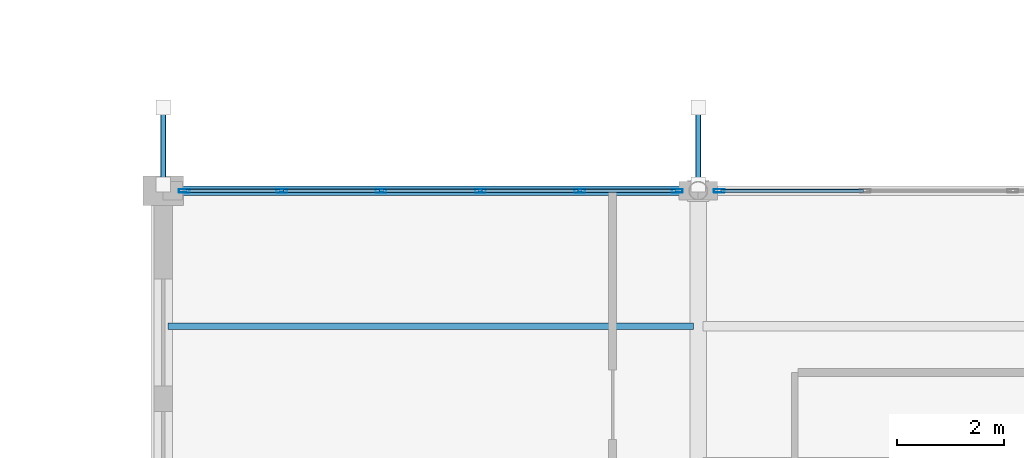
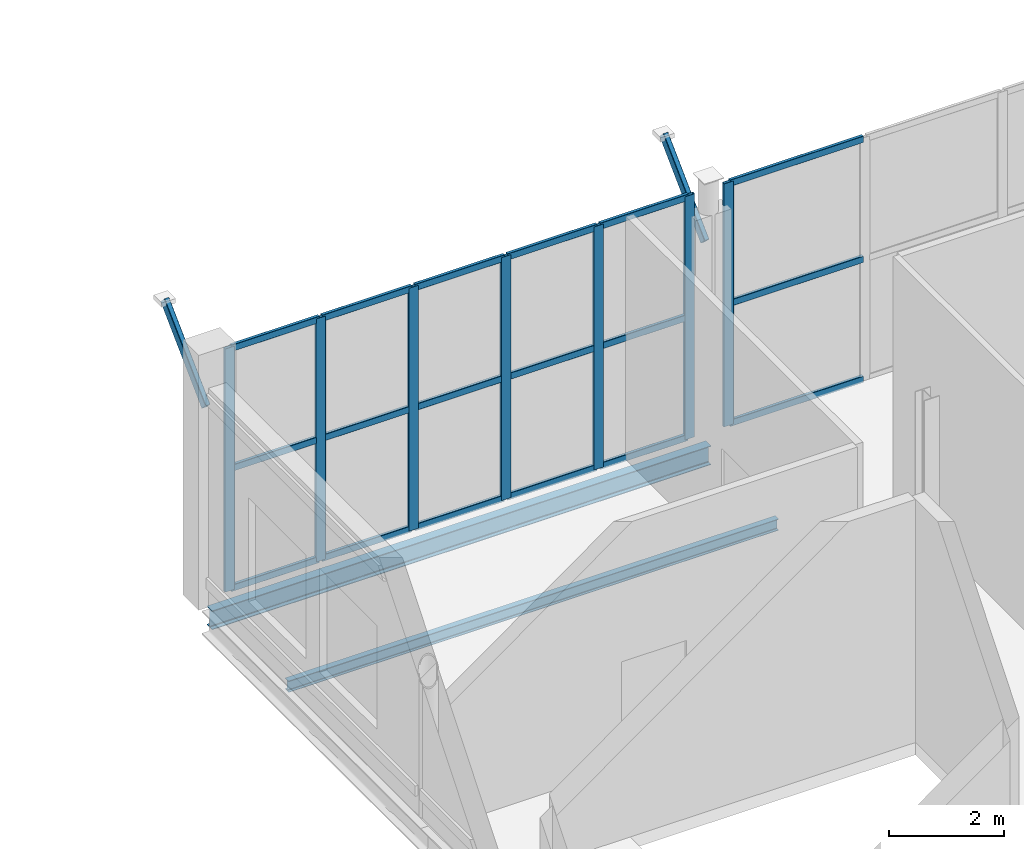
# One storey, part 77 of 147: 27 members, 2 beams, 2 elements without a shape of their own.
"""IFC4 building model written with IfcOpenShell, lengths in metres."""

import ifcopenshell
import ifcopenshell.guid

model = None  # the IFC model being written
_history = None  # IfcOwnerHistory: only IFC2X3 demands one
_inside = {}  # id of a spatial element -> (the spatial element, [elements in it])
_under = {}  # id of a project, library or spatial element -> (it, [spatial elements below it])
_declared = {}  # id of a project -> (the project, [libraries it declares])
_typed = {}  # id of a type object -> (the type object, [elements of that type])
_made_of = {}  # id of a material, layer set ... -> (it, [elements and type objects made of it])


def new_model(schema):
    """Start an empty IFC model of exactly this schema.

    Asked for "IFC4X3", IfcOpenShell would pick the latest addendum, in which some entities
    have other attributes; the version numbers below select the first issue.
    IFC2X3 requires an IfcOwnerHistory on every rooted entity: one is made here for all.
    """
    global model, _history
    if schema == "IFC4X3":
        model = ifcopenshell.file(schema_version=(4, 3, 0, 0))
    else:
        model = ifcopenshell.file(schema=schema)
    _inside.clear()
    _under.clear()
    _declared.clear()
    _typed.clear()
    _made_of.clear()
    _history = None
    if model.schema == "IFC2X3":
        org = make("IfcOrganization", Name="unknown")
        user = make(
            "IfcPersonAndOrganization",
            ThePerson=make("IfcPerson", FamilyName="unknown"),
            TheOrganization=org,
        )
        app = make(
            "IfcApplication",
            ApplicationDeveloper=org,
            Version="unknown",
            ApplicationFullName="unknown",
            ApplicationIdentifier="unknown",
        )
        _history = make(
            "IfcOwnerHistory",
            OwningUser=user,
            OwningApplication=app,
            ChangeAction="ADDED",
            CreationDate=0,
        )
    return model


def make(cls, **values):
    """One entity of the class cls with the attributes given. An attribute that is None is left unset."""
    return model.create_entity(
        cls, **{name: value for name, value in values.items() if value is not None}
    )


def rooted(cls, **values):
    """An entity with a GlobalId (a new one), such as an element, a storey or a relation."""
    return make(cls, GlobalId=ifcopenshell.guid.new(), OwnerHistory=_history, **values)


def si_unit(unit_type, name, prefix=None):
    """IfcSIUnit, for example si_unit("LENGTHUNIT", "METRE", prefix="MILLI")."""
    return make("IfcSIUnit", UnitType=unit_type, Prefix=prefix, Name=name)


def assignment(units):
    """IfcUnitAssignment: the units of a project."""
    return None if units is None else make("IfcUnitAssignment", Units=units)


def point(xyz):
    """IfcCartesianPoint."""
    return None if xyz is None else make("IfcCartesianPoint", Coordinates=xyz)


def direction(xyz):
    """IfcDirection."""
    return None if xyz is None else make("IfcDirection", DirectionRatios=xyz)


def frame(location, z_axis=None, x_axis=None):
    """IfcAxis2Placement3D, a coordinate frame: its origin and axes. An axis left out is left unset."""
    return make(
        "IfcAxis2Placement3D",
        Location=point(location),
        Axis=direction(z_axis),
        RefDirection=direction(x_axis),
    )


def frame_2d(location, x_axis=None):
    """IfcAxis2Placement2D, a coordinate frame in the plane: its origin and x axis."""
    return make(
        "IfcAxis2Placement2D", Location=point(location), RefDirection=direction(x_axis)
    )


def origin():
    """The frame at (0, 0, 0) with its axes left unset."""
    return frame((0.0, 0.0, 0.0))


def origin_2d():
    """The frame at (0, 0) in the plane with its x axis left unset."""
    return frame_2d((0.0, 0.0))


def place(relative_to, where):
    """IfcLocalPlacement: puts the frame where relative to a parent placement (None: the world)."""
    return make(
        "IfcLocalPlacement", PlacementRelTo=relative_to, RelativePlacement=where
    )


def context(
    kind, dimensions, precision=None, world=None, true_north=None, identifier=None
):
    """IfcGeometricRepresentationContext, for example the 3D "Model" context."""
    return make(
        "IfcGeometricRepresentationContext",
        ContextIdentifier=identifier,
        ContextType=kind,
        CoordinateSpaceDimension=dimensions,
        Precision=precision,
        WorldCoordinateSystem=world,
        TrueNorth=true_north,
    )


def subcontext(parent, identifier, kind, view, scale=None):
    """IfcGeometricRepresentationSubContext, for example "Body" below "Model"."""
    return make(
        "IfcGeometricRepresentationSubContext",
        ContextIdentifier=identifier,
        ContextType=kind,
        ParentContext=parent,
        TargetScale=scale,
        TargetView=view,
    )


def project(units=None, contexts=None):
    """IfcProject with its units and contexts."""
    return rooted(
        "IfcProject",
        Name="project",
        RepresentationContexts=contexts,
        UnitsInContext=assignment(units),
    )


def spatial(cls, under=None, at=None, **own):
    """A site, building, storey or space (cls), placed at a placement, below another one or the project."""
    s = rooted(cls, ObjectPlacement=at, **own)
    if under is not None:
        _under.setdefault(under.id(), (under, []))[1].append(s)
    return s


def profile(cls, at=None, kind="AREA", **sizes):
    """A parametric profile (cls). Its sizes go by their IFC names, for example OverallWidth=200.0."""
    return make(cls, ProfileType=kind, Position=at, **sizes)


def hollow_rectangle(**sizes):
    """IfcRectangleHollowProfileDef."""
    return profile("IfcRectangleHollowProfileDef", **sizes)


def i_section(**sizes):
    """IfcIShapeProfileDef."""
    return profile("IfcIShapeProfileDef", **sizes)


def extrude(swept, where, along, depth):
    """IfcExtrudedAreaSolid: the profile swept, set in the frame where, extruded along a direction by depth."""
    return make(
        "IfcExtrudedAreaSolid",
        SweptArea=swept,
        Position=where,
        ExtrudedDirection=direction(along),
        Depth=depth,
    )


def shape(context_of_items, identifier, shape_type, items):
    """IfcShapeRepresentation: the items that make up one representation, for example the "Body"."""
    return make(
        "IfcShapeRepresentation",
        ContextOfItems=context_of_items,
        RepresentationIdentifier=identifier,
        RepresentationType=shape_type,
        Items=items,
    )


def material(Name=None, Category=None):
    """IfcMaterial."""
    return make("IfcMaterial", Name=Name, Category=Category)


def layer(
    of_material, thickness, ventilated=None, Name=None, Category=None, Priority=None
):
    """IfcMaterialLayer: one layer of a wall or slab, of a material (None: an air gap)."""
    return make(
        "IfcMaterialLayer",
        Material=of_material,
        LayerThickness=thickness,
        IsVentilated=ventilated,
        Name=Name,
        Category=Category,
        Priority=Priority,
    )


def layer_set(layers, Name=None):
    """IfcMaterialLayerSet."""
    return make("IfcMaterialLayerSet", MaterialLayers=layers, LayerSetName=Name)


def material_profile(
    of_material, cross_section, Name=None, Category=None, Priority=None
):
    """IfcMaterialProfile: a cross section and its material."""
    return make(
        "IfcMaterialProfile",
        Name=Name,
        Material=of_material,
        Profile=cross_section,
        Priority=Priority,
        Category=Category,
    )


def profile_set(profiles, Name=None, composite=None):
    """IfcMaterialProfileSet."""
    return make(
        "IfcMaterialProfileSet",
        Name=Name,
        MaterialProfiles=profiles,
        CompositeProfile=composite,
    )


def made_of(thing, what):
    """Note that an element or type object is made of a material, layer set ...; save() writes the relation."""
    if what is not None:
        _made_of.setdefault(what.id(), (what, []))[1].append(thing)
    return thing


def type_object(cls, material=None, **own):
    """A type object (cls), such as IfcWallType, which elements share."""
    return made_of(rooted(cls, **own), material)


def element(
    cls,
    number,
    at=None,
    inside=None,
    cuts=None,
    type_object=None,
    material=None,
    context=None,
    identifier="Body",
    shape_type=None,
    held_by="IfcProductDefinitionShape",
    body=None,
    shapes=None,
    **own,
):
    """One element of the class cls, such as IfcWall. Its Tag is "e" and its number.

    at: its placement. inside: the storey or other place that contains it. cuts: it is an
    opening in that element (IfcRelVoidsElement). A single representation is given by context,
    identifier, shape_type and body (its items); several are given by shapes. held_by: the class
    of the entity that holds the representations. save() writes the other relations.
    """
    e = rooted(cls, Tag="e%d" % number, ObjectPlacement=at, **own)
    if body is not None:
        shapes = [shape(context, identifier, shape_type, body)]
    if shapes is not None:
        e.Representation = make(held_by, Representations=shapes)
    if inside is not None:
        _inside.setdefault(inside.id(), (inside, []))[1].append(e)
    if cuts is not None:
        rooted(
            "IfcRelVoidsElement", RelatingBuildingElement=cuts, RelatedOpeningElement=e
        )
    if type_object is not None:
        _typed.setdefault(type_object.id(), (type_object, []))[1].append(e)
    return made_of(e, material)


def aggregate(whole, parts):
    """IfcRelAggregates: a whole, such as a stair, and the parts it consists of."""
    return rooted("IfcRelAggregates", RelatingObject=whole, RelatedObjects=parts)


def save(model, path):
    """Write the relations noted so far, then the file.

    IfcRelAggregates (storeys below a building ...), IfcRelContainedInSpatialStructure (elements
    in a storey), IfcRelDefinesByType, IfcRelAssociatesMaterial and IfcRelDeclares: one each for
    every whole, place, type object, material and project.
    """
    for whole, parts in _under.values():
        aggregate(whole, parts)
    for where, things in _inside.values():
        rooted(
            "IfcRelContainedInSpatialStructure",
            RelatedElements=things,
            RelatingStructure=where,
        )
    for kind, things in _typed.values():
        rooted("IfcRelDefinesByType", RelatedObjects=things, RelatingType=kind)
    for what, things in _made_of.values():
        rooted("IfcRelAssociatesMaterial", RelatedObjects=things, RelatingMaterial=what)
    for by, libraries in _declared.values():
        rooted("IfcRelDeclares", RelatingContext=by, RelatedDefinitions=libraries)
    model.write(path)


model = new_model("IFC4")

# Units and contexts
model_context = context("Model", 3, precision=1e-05, world=origin(), true_north=direction((0.0, 1.0)))
body_context = subcontext(model_context, "Body", "Model", "MODEL_VIEW")
ifc_project = project(units=[si_unit("LENGTHUNIT", "METRE"), si_unit("AREAUNIT", "SQUARE_METRE"), si_unit("VOLUMEUNIT", "CUBIC_METRE"), si_unit("PLANEANGLEUNIT", "RADIAN"), si_unit("MASSUNIT", "GRAM", prefix="KILO")], contexts=[model_context])

# Site, building, storey
site_placement = place(None, origin())
site = spatial("IfcSite", under=ifc_project, at=site_placement, CompositionType="ELEMENT")
building_placement = place(site_placement, origin())
building = spatial("IfcBuilding", under=site, at=building_placement, Name="Vekula Escarpment Museum", CompositionType="ELEMENT")
storey_placement = place(building_placement, frame((0.0, 0.0, 7.800048828125)))
storey = spatial("IfcBuildingStorey", under=building, at=storey_placement, Name="L02", CompositionType="ELEMENT", Elevation=7.800048828125)

# Beams
ifc_material_1 = material(Name="Steel S355", Category="steel")
ifc_material_profile_1 = material_profile(ifc_material_1, i_section(OverallWidth=0.179931640625, OverallDepth=0.39990234375, WebThickness=0.008544921875, FlangeThickness=0.013427734375, FilletRadius=0.02099609375, at=origin_2d()), Name="IPE 400")
ifc_profile_set_1 = profile_set([ifc_material_profile_1], Name="Steel S355")
beam_type_1 = type_object("IfcBeamType", Name="BM-GIRD-IPE400", PredefinedType="BEAM", material=ifc_profile_set_1)
beam_1_placement = place(storey_placement, frame((136.0, 15.199951171875, -0.4599609375), z_axis=(1.0, 0.0, 0.0), x_axis=(0.0, 1.0, 0.0)))
element("IfcBeam", 1, at=beam_1_placement, inside=storey, type_object=beam_type_1, Name="Beam X L02 0822", PredefinedType="BEAM", context=body_context, shape_type="SweptSolid", body=[
    extrude(i_section(OverallWidth=0.179931640625, OverallDepth=0.39990234375, WebThickness=0.008544921875, FlangeThickness=0.013427734375, FilletRadius=0.02099609375, at=origin_2d()), origin(), (0.0, 0.0, 1.0), 10.0),
])
ifc_material_2 = material(Name="Steel S355", Category="steel")
ifc_material_profile_2 = material_profile(ifc_material_2, i_section(OverallWidth=0.1201171875, OverallDepth=0.239990234375, WebThickness=0.006103515625, FlangeThickness=0.009765625, FilletRadius=0.014892578125, at=origin_2d()), Name="IPE 240")
ifc_profile_set_2 = profile_set([ifc_material_profile_2], Name="Steel S355")
beam_type_2 = type_object("IfcBeamType", Name="BM-JST-IPE240", PredefinedType="JOIST", material=ifc_profile_set_2)
beam_2_placement = place(storey_placement, frame((136.090087890625, 12.666748046875, -0.380126953125), z_axis=(1.0, 0.0, 0.0), x_axis=(0.0, 1.0, 0.0)))
element("IfcBeam", 2, at=beam_2_placement, inside=storey, type_object=beam_type_2, Name="Secondary Joist L02 0826", PredefinedType="JOIST", context=body_context, shape_type="SweptSolid", body=[
    extrude(i_section(OverallWidth=0.1201171875, OverallDepth=0.239990234375, WebThickness=0.006103515625, FlangeThickness=0.009765625, FilletRadius=0.014892578125, at=origin_2d()), origin(), (0.0, 0.0, 1.0), 9.81982421875),
])

# Curtain wall, member
ifc_material_3 = material(Name="Aluminium thermally broken framing", Category="aluminium")
ifc_layer_1 = layer(ifc_material_3, 0.179931640625)
ifc_layer_set_1 = layer_set([ifc_layer_1], Name="Aluminium thermally broken framing")
curtain_wall_type_1 = type_object("IfcCurtainWallType", Name="CW-SYS-08", PredefinedType="NOTDEFINED", material=ifc_layer_set_1)
curtain_wall_1_placement = place(storey_placement, origin())
curtain_wall_1 = element("IfcCurtainWall", 3, at=curtain_wall_1_placement, inside=storey, type_object=curtain_wall_type_1, Name="Curtain Wall CW-L02-068", PredefinedType="NOTDEFINED")
ifc_material_4 = material(Name="Aluminium anodized mullion", Category="aluminium")
ifc_material_profile_3 = material_profile(ifc_material_4, hollow_rectangle(XDim=0.06494140625, YDim=0.199951171875, WallThickness=0.00390625, InnerFilletRadius=0.00390625, OuterFilletRadius=0.008056640625, at=origin_2d()), Name="ALU 200x65x4")
ifc_profile_set_3 = profile_set([ifc_material_profile_3], Name="Aluminium anodized mullion")
member_type_1 = type_object("IfcMemberType", Name="CW-MUL-200", PredefinedType="MULLION", material=ifc_profile_set_3)
member_1_placement = place(storey_placement, frame((146.392578125, 15.199951171875, 0.0), z_axis=(0.0, 0.0, 1.0), x_axis=(0.0, -1.0, 0.0)))
member_1 = element("IfcMember", 4, at=member_1_placement, type_object=member_type_1, Name="CW-08 mullion 4", PredefinedType="MULLION", context=body_context, shape_type="SweptSolid", body=[
    extrude(hollow_rectangle(XDim=0.06494140625, YDim=0.199951171875, WallThickness=0.00390625, InnerFilletRadius=0.00390625, OuterFilletRadius=0.008056640625, at=origin_2d()), origin(), (0.0, 0.0, 1.0), 5.14990234375),
])

# Curtain wall, members
ifc_material_5 = material(Name="Aluminium thermally broken framing", Category="aluminium")
ifc_layer_2 = layer(ifc_material_5, 0.14990234375)
ifc_layer_set_2 = layer_set([ifc_layer_2], Name="Aluminium thermally broken framing")
curtain_wall_type_2 = type_object("IfcCurtainWallType", Name="CW-SYS-09", PredefinedType="NOTDEFINED", material=ifc_layer_set_2)
curtain_wall_2_placement = place(storey_placement, origin())
curtain_wall_2 = element("IfcCurtainWall", 5, at=curtain_wall_2_placement, inside=storey, type_object=curtain_wall_type_2, Name="Curtain Wall CW-L02-069", PredefinedType="NOTDEFINED")
member_2_placement = place(storey_placement, frame((145.607421875, 15.199951171875, 0.0), z_axis=(0.0, 0.0, 1.0), x_axis=(0.0, -1.0, 0.0)))
member_2 = element("IfcMember", 6, at=member_2_placement, type_object=member_type_1, Name="CW-09 mullion 1", PredefinedType="MULLION", context=body_context, shape_type="SweptSolid", body=[
    extrude(hollow_rectangle(XDim=0.06494140625, YDim=0.199951171875, WallThickness=0.00390625, InnerFilletRadius=0.00390625, OuterFilletRadius=0.008056640625, at=origin_2d()), origin(), (0.0, 0.0, 1.0), 5.14990234375),
])
member_3_placement = place(storey_placement, frame((143.783935546875, 15.199951171875, 0.0), z_axis=(0.0, 0.0, 1.0), x_axis=(0.0, -1.0, 0.0)))
member_3 = element("IfcMember", 7, at=member_3_placement, type_object=member_type_1, Name="CW-09 mullion 2", PredefinedType="MULLION", context=body_context, shape_type="SweptSolid", body=[
    extrude(hollow_rectangle(XDim=0.06494140625, YDim=0.199951171875, WallThickness=0.00390625, InnerFilletRadius=0.00390625, OuterFilletRadius=0.008056640625, at=origin_2d()), origin(), (0.0, 0.0, 1.0), 5.14990234375),
])
member_4_placement = place(storey_placement, frame((141.927978515625, 15.199951171875, 0.0), z_axis=(0.0, 0.0, 1.0), x_axis=(0.0, -1.0, 0.0)))
member_4 = element("IfcMember", 8, at=member_4_placement, type_object=member_type_1, Name="CW-09 mullion 3", PredefinedType="MULLION", context=body_context, shape_type="SweptSolid", body=[
    extrude(hollow_rectangle(XDim=0.06494140625, YDim=0.199951171875, WallThickness=0.00390625, InnerFilletRadius=0.00390625, OuterFilletRadius=0.008056640625, at=origin_2d()), origin(), (0.0, 0.0, 1.0), 5.14990234375),
])
member_5_placement = place(storey_placement, frame((140.072021484375, 15.199951171875, 0.0), z_axis=(0.0, 0.0, 1.0), x_axis=(0.0, -1.0, 0.0)))
member_5 = element("IfcMember", 9, at=member_5_placement, type_object=member_type_1, Name="CW-09 mullion 4", PredefinedType="MULLION", context=body_context, shape_type="SweptSolid", body=[
    extrude(hollow_rectangle(XDim=0.06494140625, YDim=0.199951171875, WallThickness=0.00390625, InnerFilletRadius=0.00390625, OuterFilletRadius=0.008056640625, at=origin_2d()), origin(), (0.0, 0.0, 1.0), 5.14990234375),
])
member_6_placement = place(storey_placement, frame((138.216064453125, 15.199951171875, 0.0), z_axis=(0.0, 0.0, 1.0), x_axis=(0.0, -1.0, 0.0)))
member_6 = element("IfcMember", 10, at=member_6_placement, type_object=member_type_1, Name="CW-09 mullion 5", PredefinedType="MULLION", context=body_context, shape_type="SweptSolid", body=[
    extrude(hollow_rectangle(XDim=0.06494140625, YDim=0.199951171875, WallThickness=0.00390625, InnerFilletRadius=0.00390625, OuterFilletRadius=0.008056640625, at=origin_2d()), origin(), (0.0, 0.0, 1.0), 5.14990234375),
])
member_7_placement = place(storey_placement, frame((136.392578125, 15.199951171875, 0.0), z_axis=(0.0, 0.0, 1.0), x_axis=(0.0, -1.0, 0.0)))
member_7 = element("IfcMember", 11, at=member_7_placement, type_object=member_type_1, Name="CW-09 mullion 6", PredefinedType="MULLION", context=body_context, shape_type="SweptSolid", body=[
    extrude(hollow_rectangle(XDim=0.06494140625, YDim=0.199951171875, WallThickness=0.00390625, InnerFilletRadius=0.00390625, OuterFilletRadius=0.008056640625, at=origin_2d()), origin(), (0.0, 0.0, 1.0), 5.14990234375),
])

# Member
ifc_material_6 = material(Name="Aluminium anodized transom", Category="aluminium")
ifc_material_profile_4 = material_profile(ifc_material_6, hollow_rectangle(XDim=0.06494140625, YDim=0.139892578125, WallThickness=0.00390625, InnerFilletRadius=0.00390625, OuterFilletRadius=0.008056640625, at=origin_2d()), Name="ALU 140x65x4")
ifc_profile_set_4 = profile_set([ifc_material_profile_4], Name="Aluminium anodized transom")
member_type_2 = type_object("IfcMemberType", Name="CW-TRN-140", PredefinedType="USERDEFINED", material=ifc_profile_set_4)
member_8_placement = place(storey_placement, frame((149.08740234375, 15.199951171875, 0.032470703125), z_axis=(-1.0, 0.0, 0.0), x_axis=(0.0, -1.0, 0.0)))
member_8 = element("IfcMember", 12, at=member_8_placement, type_object=member_type_2, Name="CW-08 transom 3.1", ObjectType="TRANSOM", PredefinedType="USERDEFINED", context=body_context, shape_type="SweptSolid", body=[
    extrude(hollow_rectangle(XDim=0.06494140625, YDim=0.139892578125, WallThickness=0.00390625, InnerFilletRadius=0.00390625, OuterFilletRadius=0.008056640625, at=origin_2d()), origin(), (0.0, 0.0, 1.0), 2.662353515625),
])

member_9_placement = place(storey_placement, frame((149.08740234375, 15.199951171875, 2.574951171875), z_axis=(-1.0, 0.0, 0.0), x_axis=(0.0, -1.0, 0.0)))
member_9 = element("IfcMember", 13, at=member_9_placement, type_object=member_type_2, Name="CW-08 transom 3.2", ObjectType="TRANSOM", PredefinedType="USERDEFINED", context=body_context, shape_type="SweptSolid", body=[
    extrude(hollow_rectangle(XDim=0.06494140625, YDim=0.139892578125, WallThickness=0.00390625, InnerFilletRadius=0.00390625, OuterFilletRadius=0.008056640625, at=origin_2d()), origin(), (0.0, 0.0, 1.0), 2.662353515625),
])

member_10_placement = place(storey_placement, frame((149.08740234375, 15.199951171875, 5.117431640625), z_axis=(-1.0, 0.0, 0.0), x_axis=(0.0, -1.0, 0.0)))
member_10 = element("IfcMember", 14, at=member_10_placement, type_object=member_type_2, Name="CW-08 transom 3.3", ObjectType="TRANSOM", PredefinedType="USERDEFINED", context=body_context, shape_type="SweptSolid", body=[
    extrude(hollow_rectangle(XDim=0.06494140625, YDim=0.139892578125, WallThickness=0.00390625, InnerFilletRadius=0.00390625, OuterFilletRadius=0.008056640625, at=origin_2d()), origin(), (0.0, 0.0, 1.0), 2.662353515625),
])

aggregate(curtain_wall_1, [member_1, member_8, member_9, member_10])

member_11_placement = place(storey_placement, frame((145.574951171875, 15.199951171875, 0.032470703125), z_axis=(-1.0, 0.0, 0.0), x_axis=(0.0, -1.0, 0.0)))
member_11 = element("IfcMember", 15, at=member_11_placement, type_object=member_type_2, Name="CW-09 transom 1.1", ObjectType="TRANSOM", PredefinedType="USERDEFINED", context=body_context, shape_type="SweptSolid", body=[
    extrude(hollow_rectangle(XDim=0.06494140625, YDim=0.139892578125, WallThickness=0.00390625, InnerFilletRadius=0.00390625, OuterFilletRadius=0.008056640625, at=origin_2d()), origin(), (0.0, 0.0, 1.0), 1.758544921875),
])

member_12_placement = place(storey_placement, frame((145.574951171875, 15.199951171875, 2.574951171875), z_axis=(-1.0, 0.0, 0.0), x_axis=(0.0, -1.0, 0.0)))
member_12 = element("IfcMember", 16, at=member_12_placement, type_object=member_type_2, Name="CW-09 transom 1.2", ObjectType="TRANSOM", PredefinedType="USERDEFINED", context=body_context, shape_type="SweptSolid", body=[
    extrude(hollow_rectangle(XDim=0.06494140625, YDim=0.139892578125, WallThickness=0.00390625, InnerFilletRadius=0.00390625, OuterFilletRadius=0.008056640625, at=origin_2d()), origin(), (0.0, 0.0, 1.0), 1.758544921875),
])

member_13_placement = place(storey_placement, frame((145.574951171875, 15.199951171875, 5.117431640625), z_axis=(-1.0, 0.0, 0.0), x_axis=(0.0, -1.0, 0.0)))
member_13 = element("IfcMember", 17, at=member_13_placement, type_object=member_type_2, Name="CW-09 transom 1.3", ObjectType="TRANSOM", PredefinedType="USERDEFINED", context=body_context, shape_type="SweptSolid", body=[
    extrude(hollow_rectangle(XDim=0.06494140625, YDim=0.139892578125, WallThickness=0.00390625, InnerFilletRadius=0.00390625, OuterFilletRadius=0.008056640625, at=origin_2d()), origin(), (0.0, 0.0, 1.0), 1.758544921875),
])

member_14_placement = place(storey_placement, frame((143.75146484375, 15.199951171875, 0.032470703125), z_axis=(-1.0, 0.0, 0.0), x_axis=(0.0, -1.0, 0.0)))
member_14 = element("IfcMember", 18, at=member_14_placement, type_object=member_type_2, Name="CW-09 transom 2.1", ObjectType="TRANSOM", PredefinedType="USERDEFINED", context=body_context, shape_type="SweptSolid", body=[
    extrude(hollow_rectangle(XDim=0.06494140625, YDim=0.139892578125, WallThickness=0.00390625, InnerFilletRadius=0.00390625, OuterFilletRadius=0.008056640625, at=origin_2d()), origin(), (0.0, 0.0, 1.0), 1.791015625),
])

member_15_placement = place(storey_placement, frame((143.75146484375, 15.199951171875, 2.574951171875), z_axis=(-1.0, 0.0, 0.0), x_axis=(0.0, -1.0, 0.0)))
member_15 = element("IfcMember", 19, at=member_15_placement, type_object=member_type_2, Name="CW-09 transom 2.2", ObjectType="TRANSOM", PredefinedType="USERDEFINED", context=body_context, shape_type="SweptSolid", body=[
    extrude(hollow_rectangle(XDim=0.06494140625, YDim=0.139892578125, WallThickness=0.00390625, InnerFilletRadius=0.00390625, OuterFilletRadius=0.008056640625, at=origin_2d()), origin(), (0.0, 0.0, 1.0), 1.791015625),
])

member_16_placement = place(storey_placement, frame((143.75146484375, 15.199951171875, 5.117431640625), z_axis=(-1.0, 0.0, 0.0), x_axis=(0.0, -1.0, 0.0)))
member_16 = element("IfcMember", 20, at=member_16_placement, type_object=member_type_2, Name="CW-09 transom 2.3", ObjectType="TRANSOM", PredefinedType="USERDEFINED", context=body_context, shape_type="SweptSolid", body=[
    extrude(hollow_rectangle(XDim=0.06494140625, YDim=0.139892578125, WallThickness=0.00390625, InnerFilletRadius=0.00390625, OuterFilletRadius=0.008056640625, at=origin_2d()), origin(), (0.0, 0.0, 1.0), 1.791015625),
])

member_17_placement = place(storey_placement, frame((141.8955078125, 15.199951171875, 0.032470703125), z_axis=(-1.0, 0.0, 0.0), x_axis=(0.0, -1.0, 0.0)))
member_17 = element("IfcMember", 21, at=member_17_placement, type_object=member_type_2, Name="CW-09 transom 3.1", ObjectType="TRANSOM", PredefinedType="USERDEFINED", context=body_context, shape_type="SweptSolid", body=[
    extrude(hollow_rectangle(XDim=0.06494140625, YDim=0.139892578125, WallThickness=0.00390625, InnerFilletRadius=0.00390625, OuterFilletRadius=0.008056640625, at=origin_2d()), origin(), (0.0, 0.0, 1.0), 1.791015625),
])

member_18_placement = place(storey_placement, frame((141.8955078125, 15.199951171875, 2.574951171875), z_axis=(-1.0, 0.0, 0.0), x_axis=(0.0, -1.0, 0.0)))
member_18 = element("IfcMember", 22, at=member_18_placement, type_object=member_type_2, Name="CW-09 transom 3.2", ObjectType="TRANSOM", PredefinedType="USERDEFINED", context=body_context, shape_type="SweptSolid", body=[
    extrude(hollow_rectangle(XDim=0.06494140625, YDim=0.139892578125, WallThickness=0.00390625, InnerFilletRadius=0.00390625, OuterFilletRadius=0.008056640625, at=origin_2d()), origin(), (0.0, 0.0, 1.0), 1.791015625),
])

member_19_placement = place(storey_placement, frame((141.8955078125, 15.199951171875, 5.117431640625), z_axis=(-1.0, 0.0, 0.0), x_axis=(0.0, -1.0, 0.0)))
member_19 = element("IfcMember", 23, at=member_19_placement, type_object=member_type_2, Name="CW-09 transom 3.3", ObjectType="TRANSOM", PredefinedType="USERDEFINED", context=body_context, shape_type="SweptSolid", body=[
    extrude(hollow_rectangle(XDim=0.06494140625, YDim=0.139892578125, WallThickness=0.00390625, InnerFilletRadius=0.00390625, OuterFilletRadius=0.008056640625, at=origin_2d()), origin(), (0.0, 0.0, 1.0), 1.791015625),
])

member_20_placement = place(storey_placement, frame((140.03955078125, 15.199951171875, 0.032470703125), z_axis=(-1.0, 0.0, 0.0), x_axis=(0.0, -1.0, 0.0)))
member_20 = element("IfcMember", 24, at=member_20_placement, type_object=member_type_2, Name="CW-09 transom 4.1", ObjectType="TRANSOM", PredefinedType="USERDEFINED", context=body_context, shape_type="SweptSolid", body=[
    extrude(hollow_rectangle(XDim=0.06494140625, YDim=0.139892578125, WallThickness=0.00390625, InnerFilletRadius=0.00390625, OuterFilletRadius=0.008056640625, at=origin_2d()), origin(), (0.0, 0.0, 1.0), 1.791015625),
])

member_21_placement = place(storey_placement, frame((140.03955078125, 15.199951171875, 2.574951171875), z_axis=(-1.0, 0.0, 0.0), x_axis=(0.0, -1.0, 0.0)))
member_21 = element("IfcMember", 25, at=member_21_placement, type_object=member_type_2, Name="CW-09 transom 4.2", ObjectType="TRANSOM", PredefinedType="USERDEFINED", context=body_context, shape_type="SweptSolid", body=[
    extrude(hollow_rectangle(XDim=0.06494140625, YDim=0.139892578125, WallThickness=0.00390625, InnerFilletRadius=0.00390625, OuterFilletRadius=0.008056640625, at=origin_2d()), origin(), (0.0, 0.0, 1.0), 1.791015625),
])

member_22_placement = place(storey_placement, frame((140.03955078125, 15.199951171875, 5.117431640625), z_axis=(-1.0, 0.0, 0.0), x_axis=(0.0, -1.0, 0.0)))
member_22 = element("IfcMember", 26, at=member_22_placement, type_object=member_type_2, Name="CW-09 transom 4.3", ObjectType="TRANSOM", PredefinedType="USERDEFINED", context=body_context, shape_type="SweptSolid", body=[
    extrude(hollow_rectangle(XDim=0.06494140625, YDim=0.139892578125, WallThickness=0.00390625, InnerFilletRadius=0.00390625, OuterFilletRadius=0.008056640625, at=origin_2d()), origin(), (0.0, 0.0, 1.0), 1.791015625),
])

member_23_placement = place(storey_placement, frame((138.18359375, 15.199951171875, 0.032470703125), z_axis=(-1.0, 0.0, 0.0), x_axis=(0.0, -1.0, 0.0)))
member_23 = element("IfcMember", 27, at=member_23_placement, type_object=member_type_2, Name="CW-09 transom 5.1", ObjectType="TRANSOM", PredefinedType="USERDEFINED", context=body_context, shape_type="SweptSolid", body=[
    extrude(hollow_rectangle(XDim=0.06494140625, YDim=0.139892578125, WallThickness=0.00390625, InnerFilletRadius=0.00390625, OuterFilletRadius=0.008056640625, at=origin_2d()), origin(), (0.0, 0.0, 1.0), 1.758544921875),
])

member_24_placement = place(storey_placement, frame((138.18359375, 15.199951171875, 2.574951171875), z_axis=(-1.0, 0.0, 0.0), x_axis=(0.0, -1.0, 0.0)))
member_24 = element("IfcMember", 28, at=member_24_placement, type_object=member_type_2, Name="CW-09 transom 5.2", ObjectType="TRANSOM", PredefinedType="USERDEFINED", context=body_context, shape_type="SweptSolid", body=[
    extrude(hollow_rectangle(XDim=0.06494140625, YDim=0.139892578125, WallThickness=0.00390625, InnerFilletRadius=0.00390625, OuterFilletRadius=0.008056640625, at=origin_2d()), origin(), (0.0, 0.0, 1.0), 1.758544921875),
])

member_25_placement = place(storey_placement, frame((138.18359375, 15.199951171875, 5.117431640625), z_axis=(-1.0, 0.0, 0.0), x_axis=(0.0, -1.0, 0.0)))
member_25 = element("IfcMember", 29, at=member_25_placement, type_object=member_type_2, Name="CW-09 transom 5.3", ObjectType="TRANSOM", PredefinedType="USERDEFINED", context=body_context, shape_type="SweptSolid", body=[
    extrude(hollow_rectangle(XDim=0.06494140625, YDim=0.139892578125, WallThickness=0.00390625, InnerFilletRadius=0.00390625, OuterFilletRadius=0.008056640625, at=origin_2d()), origin(), (0.0, 0.0, 1.0), 1.758544921875),
])

aggregate(curtain_wall_2, [member_2, member_3, member_4, member_5, member_6, member_7, member_11, member_12, member_13, member_14, member_15, member_16, member_17, member_18, member_19, member_20, member_21, member_22, member_23, member_24, member_25])

# Members
ifc_material_7 = material(Name="Steel S355", Category="steel")
ifc_material_profile_5 = material_profile(ifc_material_7, hollow_rectangle(XDim=0.10009765625, YDim=0.199951171875, WallThickness=0.008056640625, InnerFilletRadius=0.008056640625, OuterFilletRadius=0.01611328125, at=origin_2d()), Name="RHS 200x100x8")
ifc_profile_set_5 = profile_set([ifc_material_profile_5], Name="Steel S355")
member_type_3 = type_object("IfcMemberType", Name="MB-SACAK-BRK", PredefinedType="STRUT", material=ifc_profile_set_5)
for number, where, z_axis, x_axis, name in (
    (30, (136.0, 15.320068359375, 3.949951171875), (0.0, 0.714570141171, 0.699563802198), (-1.0, 0.0, 0.0), "Ottoman Sacak Eave Bracket Z9-0142"),
    (31, (146.0, 15.320068359375, 3.949951171875), (0.0, 0.714570141171, 0.699563802198), (-1.0, 0.0, 0.0), "Ottoman Sacak Eave Bracket Z9-0144"),
):
    element("IfcMember", number, at=place(storey_placement, frame(where, z_axis=z_axis, x_axis=x_axis)), inside=storey, type_object=member_type_3, Name=name, PredefinedType="STRUT", context=body_context, shape_type="SweptSolid", body=[
        extrude(hollow_rectangle(XDim=0.10009765625, YDim=0.199951171875, WallThickness=0.008056640625, InnerFilletRadius=0.008056640625, OuterFilletRadius=0.01611328125, at=origin_2d()), origin(), (0.0, 0.0, 1.0), 2.001220703125),
    ])

save(model, "model.ifc")
